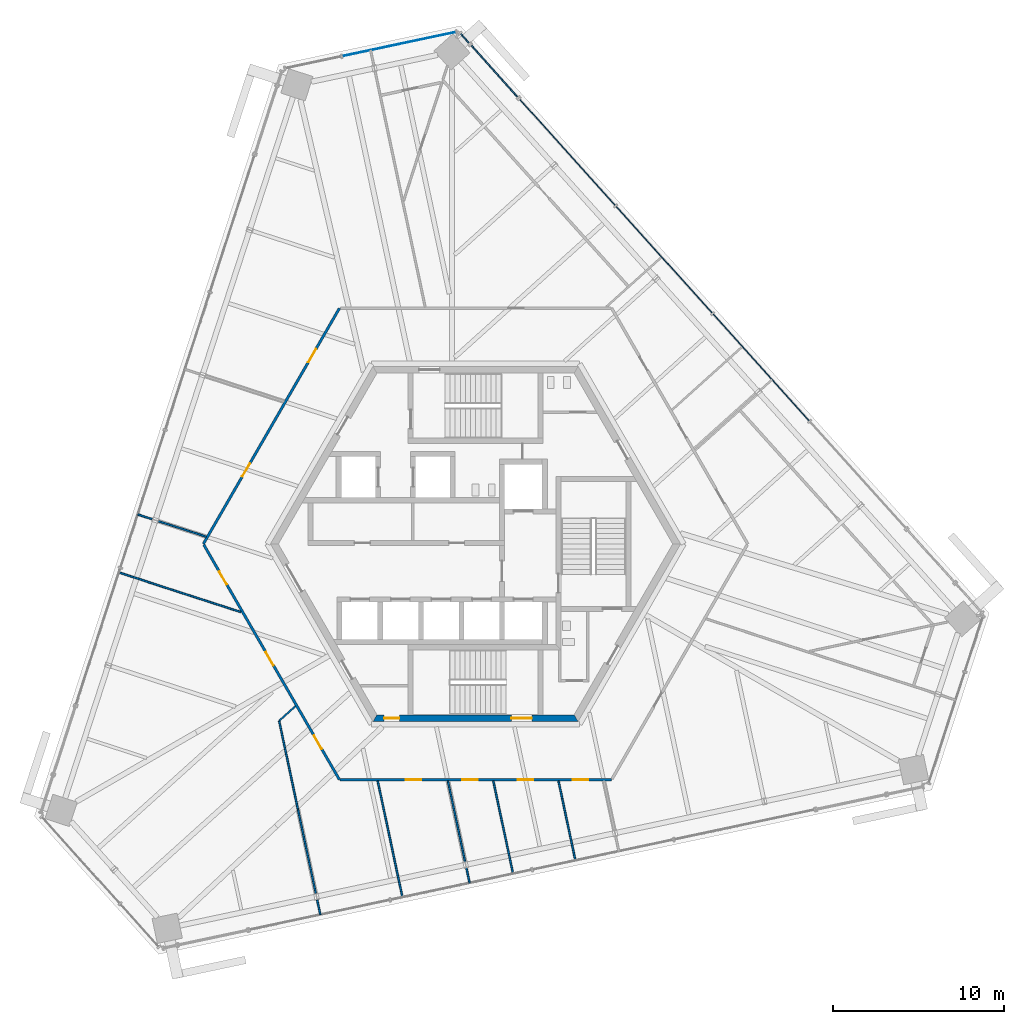
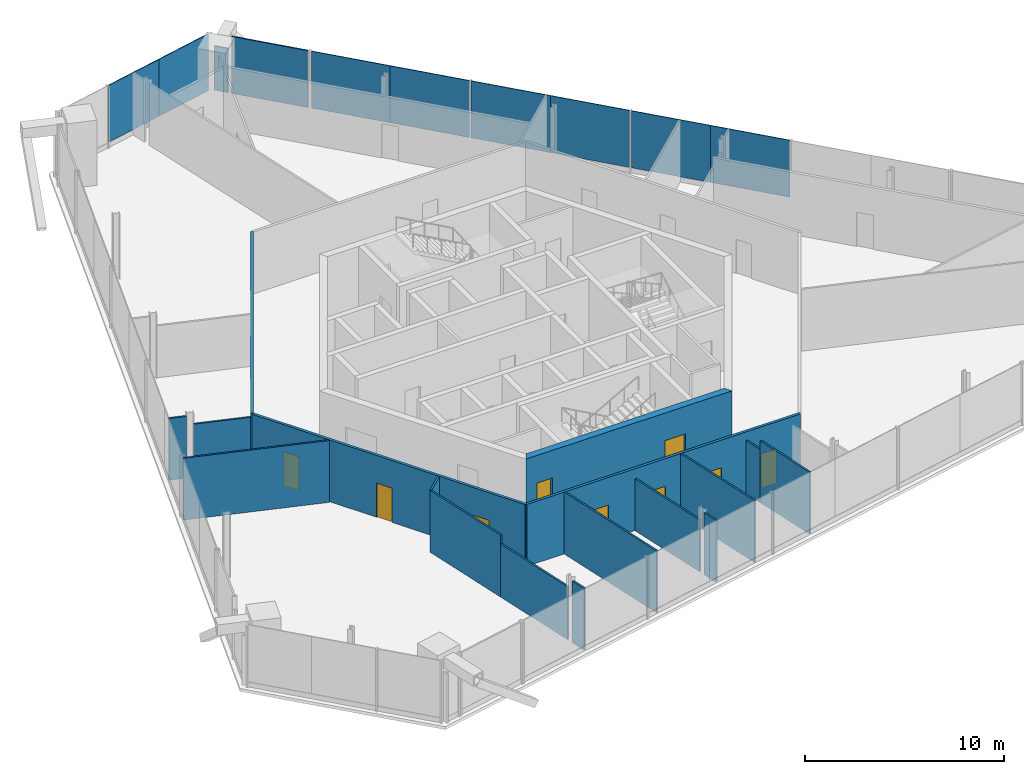
# One storey, part 10 of 16: 17 walls, 11 doors, 10 plates, 11 openings, 4 elements without a shape of their own.
"""IFC4 building model written with IfcOpenShell, lengths in metres."""

from ifc_helpers import new_model, si_unit, direction, frame, frame_2d, origin, origin_2d, place, context, subcontext, project, spatial, polyline, rectangle, outline, extrude, source, transform, mapped, material, layer, layer_set, type_object, element, fill, aggregate, save


model = new_model("IFC4")

# Units and contexts
model_context = context("Model", 3, precision=1e-05, world=origin(), true_north=direction((0.0, 1.0)))
body_context = subcontext(model_context, "Body", "Model", "MODEL_VIEW")
ifc_project = project(units=[si_unit("LENGTHUNIT", "METRE"), si_unit("AREAUNIT", "SQUARE_METRE"), si_unit("VOLUMEUNIT", "CUBIC_METRE"), si_unit("PLANEANGLEUNIT", "RADIAN"), si_unit("MASSUNIT", "GRAM", prefix="KILO")], contexts=[model_context])

# Site, building, storey
site_placement = place(None, origin())
site = spatial("IfcSite", under=ifc_project, at=site_placement, CompositionType="ELEMENT")
building_placement = place(site_placement, origin())
building = spatial("IfcBuilding", under=site, at=building_placement, Name="Triune Harvest Tower", CompositionType="ELEMENT")
storey_placement = place(building_placement, frame((0.0, 0.0, 292.699951171875)))
storey = spatial("IfcBuildingStorey", under=building, at=storey_placement, Name="L77", CompositionType="ELEMENT", Elevation=292.699951171875)

# Curtain wall, plate
ifc_material_1 = material(Name="Aluminium bronze anodised", Category="aluminium")
curtain_wall_type_1 = type_object("IfcCurtainWallType", Name="CW-9 Sky lobby tall glazing wall with insulated spandrel infill", PredefinedType="NOTDEFINED", material=ifc_material_1)
curtain_wall_1_placement = place(storey_placement, origin())
curtain_wall_1 = element("IfcCurtainWall", 1, at=curtain_wall_1_placement, inside=storey, type_object=curtain_wall_type_1, Name="CW-9 B7-F1 L77 run 201")
ifc_material_2 = material(Name="Insulated spandrel panel, bronze aluminium pan", Category="aluminium")
ifc_layer_1 = layer(ifc_material_2, 0.080078125)
ifc_layer_set_1 = layer_set([ifc_layer_1], Name="Insulated spandrel panel, bronze aluminium pan")
plate_type_1 = type_object("IfcPlateType", Name="SP-1 insulated spandrel panel 80", PredefinedType="CURTAIN_PANEL", material=ifc_layer_set_1)
plate_1_placement = place(storey_placement, frame((-0.620849609375, 29.57763671875, 0.2998046875), z_axis=(0.0, 0.0, 1.0), x_axis=(-0.669144523866, 0.743132293862, 0.0)))
plate_1 = element("IfcPlate", 2, at=plate_1_placement, type_object=plate_type_1, Name="CW-9 panel B7-F1 201.1", PredefinedType="CURTAIN_PANEL", context=body_context, shape_type="SweptSolid", body=[
    extrude(rectangle(XDim=0.74169921875, YDim=0.080078125, at=origin_2d()), origin(), (0.0, 0.0, 1.0), 2.715087890625),
])
aggregate(curtain_wall_1, [plate_1])

curtain_wall_2_placement = place(storey_placement, origin())
curtain_wall_2 = element("IfcCurtainWall", 3, at=curtain_wall_2_placement, inside=storey, type_object=curtain_wall_type_1, Name="CW-9 B7-F1 L77 run 2101")
shared_shape_1 = source(origin(), body_context, "Body", "SweptSolid", [
    extrude(rectangle(XDim=4.060791015625, YDim=0.080078125, at=origin_2d()), origin(), (0.0, 0.0, 1.0), 3.5),
])
plate_2_placement = place(storey_placement, frame((1.1064453125, 27.659423828125, 0.300048828125), z_axis=(0.0, 0.0, 1.0), x_axis=(-0.669127566096, 0.743147562931, 0.0)))
plate_2 = element("IfcPlate", 4, at=plate_2_placement, type_object=plate_type_1, Name="CW-9 panel B7-F1 2101.1", PredefinedType="CURTAIN_PANEL", context=body_context, shape_type="MappedRepresentation", body=[
    mapped(shared_shape_1, transform((0.0, 0.0, 0.0), scale=1.0)),
])
aggregate(curtain_wall_2, [plate_2])

# Curtain wall, plates
ifc_material_3 = material(Name="Aluminium bronze anodised", Category="aluminium")
curtain_wall_type_2 = type_object("IfcCurtainWallType", Name="CW-4 Sky lobby tall glazing wall", PredefinedType="NOTDEFINED", material=ifc_material_3)
curtain_wall_3_placement = place(storey_placement, origin())
curtain_wall_3 = element("IfcCurtainWall", 5, at=curtain_wall_3_placement, inside=storey, type_object=curtain_wall_type_2, Name="CW-4 B7-F1 L77 run 1101")
ifc_material_4 = material(Name="Glass", Category="glass")
ifc_layer_2 = layer(ifc_material_4, 0.0439453125)
ifc_layer_set_2 = layer_set([ifc_layer_2], Name="Glass")
plate_type_2 = type_object("IfcPlateType", Name="GL-4 panel 44", PredefinedType="CURTAIN_PANEL", material=ifc_layer_set_2)
shared_shape_2 = source(origin(), body_context, "Body", "SweptSolid", [
    extrude(rectangle(XDim=4.15087890625, YDim=0.0439453125, at=origin_2d()), origin(), (0.0, 0.0, 1.0), 3.5),
])
plate_3_placement = place(storey_placement, frame((3.97412109375, 24.474365234375, 0.300048828125), z_axis=(0.0, 0.0, 1.0), x_axis=(-0.669132449647, 0.743143165769, 0.0)))
plate_3 = element("IfcPlate", 6, at=plate_3_placement, type_object=plate_type_2, Name="CW-4 panel B7-F1 1101.8", PredefinedType="CURTAIN_PANEL", context=body_context, shape_type="MappedRepresentation", body=[
    mapped(shared_shape_2, transform((0.0, 0.0, 0.0), scale=1.0)),
])
shared_shape_3 = source(origin(), body_context, "Body", "SweptSolid", [
    extrude(rectangle(XDim=4.19580078125, YDim=0.0439453125, at=origin_2d()), origin(), (0.0, 0.0, 1.0), 3.5),
])
plate_4_placement = place(storey_placement, frame((18.1171875, 8.76708984375, 0.300048828125), z_axis=(0.0, 0.0, 1.0), x_axis=(-0.669132449647, 0.743143165769, 0.0)))
plate_4 = element("IfcPlate", 7, at=plate_4_placement, type_object=plate_type_2, Name="CW-4 panel B7-F1 1101.3", PredefinedType="CURTAIN_PANEL", context=body_context, shape_type="MappedRepresentation", body=[
    mapped(shared_shape_3, transform((0.0, 0.0, 0.0), scale=1.0)),
])
plate_5_placement = place(storey_placement, frame((15.3095703125, 11.885009765625, 0.300048828125), z_axis=(0.0, 0.0, 1.0), x_axis=(-0.669132449647, 0.743143165769, 0.0)))
plate_5 = element("IfcPlate", 8, at=plate_5_placement, type_object=plate_type_2, Name="CW-4 panel B7-F1 1101.4", PredefinedType="CURTAIN_PANEL", context=body_context, shape_type="MappedRepresentation", body=[
    mapped(shared_shape_3, transform((0.0, 0.0, 0.0), scale=1.0)),
])
plate_6_placement = place(storey_placement, frame((12.44189453125, 15.070068359375, 0.300048828125), z_axis=(0.0, 0.0, 1.0), x_axis=(-0.669132449647, 0.743143165769, 0.0)))
plate_6 = element("IfcPlate", 9, at=plate_6_placement, type_object=plate_type_2, Name="CW-4 panel B7-F1 1101.5", PredefinedType="CURTAIN_PANEL", context=body_context, shape_type="MappedRepresentation", body=[
    mapped(shared_shape_3, transform((0.0, 0.0, 0.0), scale=1.0)),
])
plate_7_placement = place(storey_placement, frame((9.63427734375, 18.188232421875, 0.300048828125), z_axis=(0.0, 0.0, 1.0), x_axis=(-0.669132449647, 0.743143165769, 0.0)))
plate_7 = element("IfcPlate", 10, at=plate_7_placement, type_object=plate_type_2, Name="CW-4 panel B7-F1 1101.6", PredefinedType="CURTAIN_PANEL", context=body_context, shape_type="MappedRepresentation", body=[
    mapped(shared_shape_3, transform((0.0, 0.0, 0.0), scale=1.0)),
])
plate_8_placement = place(storey_placement, frame((6.7666015625, 21.373046875, 0.300048828125), z_axis=(0.0, 0.0, 1.0), x_axis=(-0.669132449647, 0.743143165769, 0.0)))
plate_8 = element("IfcPlate", 11, at=plate_8_placement, type_object=plate_type_2, Name="CW-4 panel B7-F1 1101.7", PredefinedType="CURTAIN_PANEL", context=body_context, shape_type="MappedRepresentation", body=[
    mapped(shared_shape_3, transform((0.0, 0.0, 0.0), scale=1.0)),
])
aggregate(curtain_wall_3, [plate_4, plate_5, plate_6, plate_7, plate_8, plate_3])

curtain_wall_4_placement = place(storey_placement, origin())
curtain_wall_4 = element("IfcCurtainWall", 12, at=curtain_wall_4_placement, inside=storey, type_object=curtain_wall_type_2, Name="CW-4 B7-F2 L77 run 1")
shared_shape_4 = source(origin(), body_context, "Body", "SweptSolid", [
    extrude(rectangle(XDim=3.361328125, YDim=0.0439453125, at=origin_2d()), origin(), (0.0, 0.0, 1.0), 3.5),
])
plate_9_placement = place(storey_placement, frame((-2.809326171875, 29.60009765625, 0.300048828125), z_axis=(0.0, 0.0, 1.0), x_axis=(-0.978149078297, -0.207904739307, 0.0)))
plate_9 = element("IfcPlate", 13, at=plate_9_placement, type_object=plate_type_2, Name="CW-4 panel B7-F2 1.1", PredefinedType="CURTAIN_PANEL", context=body_context, shape_type="MappedRepresentation", body=[
    mapped(shared_shape_4, transform((0.0, 0.0, 0.0), scale=1.0)),
])
shared_shape_5 = source(origin(), body_context, "Body", "SweptSolid", [
    extrude(rectangle(XDim=3.40625, YDim=0.0439453125, at=origin_2d()), origin(), (0.0, 0.0, 1.0), 3.5),
])
plate_10_placement = place(storey_placement, frame((-6.119140625, 28.896728515625, 0.300048828125), z_axis=(0.0, 0.0, 1.0), x_axis=(-0.978149078297, -0.207904739307, 0.0)))
plate_10 = element("IfcPlate", 14, at=plate_10_placement, type_object=plate_type_2, Name="CW-4 panel B7-F2 1.2", PredefinedType="CURTAIN_PANEL", context=body_context, shape_type="MappedRepresentation", body=[
    mapped(shared_shape_5, transform((0.0, 0.0, 0.0), scale=1.0)),
])
aggregate(curtain_wall_4, [plate_9, plate_10])

# Wall, openings, doors
ifc_material_5 = material(Name="Gypsum board on steel studs", Category="steel")
ifc_layer_3 = layer(ifc_material_5, 0.14990234375)
ifc_layer_set_3 = layer_set([ifc_layer_3], Name="Gypsum board on steel studs")
wall_type_1 = type_object("IfcWallType", Name="Fire Partition 150 mm", PredefinedType="PARTITIONING", material=ifc_layer_set_3)
wall_1_placement = place(storey_placement, frame((-15.90087890625, -0.043212890625, 0.0), z_axis=(0.0, 0.0, 1.0), x_axis=(0.49999933383, -0.866025788398, 0.0)))
wall_1 = element("IfcWall", 15, at=wall_1_placement, inside=storey, type_object=wall_type_1, Name="Partition L77 012", PredefinedType="PARTITIONING", context=body_context, shape_type="SweptSolid", body=[
    extrude(rectangle(XDim=15.8759765625, YDim=0.14990234375, at=frame_2d((7.93798828125, 0.0))), origin(), (0.0, 0.0, 1.0), 3.800048828125),
])
opening_1_placement = place(wall_1_placement, frame((1.800048828125, 0.0, 0.0)))
opening_1 = element("IfcOpeningElement", 16, at=opening_1_placement, cuts=wall_1, Name="Opening L77-011", PredefinedType="OPENING", context=body_context, shape_type="SweptSolid", body=[
    extrude(rectangle(XDim=0.89990234375, YDim=2.10009765625, at=frame_2d((0.449951171875, 1.050048828125))), frame((0.0, 0.0849609375, 0.0), z_axis=(0.0, -1.0, 0.0), x_axis=(1.0, 0.0, 0.0)), (0.0, 0.0, 1.0), 0.169921875),
])
opening_2_placement = place(wall_1_placement, frame((7.253662109375, 0.0, 0.0)))
opening_2 = element("IfcOpeningElement", 17, at=opening_2_placement, cuts=wall_1, Name="Opening L77-012", PredefinedType="OPENING", context=body_context, shape_type="SweptSolid", body=[
    extrude(rectangle(XDim=0.89990234375, YDim=2.10009765625, at=frame_2d((0.449951171875, 1.050048828125))), frame((0.0, 0.0849609375, 0.0), z_axis=(0.0, -1.0, 0.0), x_axis=(1.0, 0.0, 0.0)), (0.0, 0.0, 1.0), 0.169921875),
])
opening_3_placement = place(wall_1_placement, frame((12.894775390625, 0.0, 0.0)))
opening_3 = element("IfcOpeningElement", 18, at=opening_3_placement, cuts=wall_1, Name="Opening L77-013", PredefinedType="OPENING", context=body_context, shape_type="SweptSolid", body=[
    extrude(rectangle(XDim=0.89990234375, YDim=2.10009765625, at=frame_2d((0.449951171875, 1.050048828125))), frame((0.0, 0.0849609375, 0.0), z_axis=(0.0, -1.0, 0.0), x_axis=(1.0, 0.0, 0.0)), (0.0, 0.0, 1.0), 0.169921875),
])
ifc_material_6 = material(Name="Timber and steel door set", Category="steel")
door_type_1 = type_object("IfcDoorType", Name="Single leaf door FD30 left hand 900 x 2100", OperationType="SINGLE_SWING_LEFT", PredefinedType="DOOR", material=ifc_material_6)
door_1_placement = place(opening_3_placement, origin())
door_1 = element("IfcDoor", 19, at=door_1_placement, inside=storey, type_object=door_type_1, Name="Door L77-013 Provisions Store 77.13", OperationType="SINGLE_SWING_LEFT", OverallHeight=2.10009765625, OverallWidth=0.89990234375, PredefinedType="DOOR", context=body_context, shape_type="SweptSolid", body=[
    extrude(rectangle(XDim=0.89990234375, YDim=2.10009765625, at=frame_2d((0.449951171875, 1.050048828125))), frame((0.0, 0.02490234375, 0.0), z_axis=(0.0, -1.0, 0.0), x_axis=(1.0, 0.0, 0.0)), (0.0, 0.0, 1.0), 0.050048828125),
])
fill(opening_3, door_1)
ifc_material_7 = material(Name="Timber and steel door set", Category="steel")
door_type_2 = type_object("IfcDoorType", Name="Single leaf door FD30 right hand 900 x 2100", OperationType="SINGLE_SWING_RIGHT", PredefinedType="DOOR", material=ifc_material_7)
door_2_placement = place(opening_1_placement, origin())
door_2 = element("IfcDoor", 20, at=door_2_placement, inside=storey, type_object=door_type_2, Name="Door L77-011 Provisions Store 77.11", OperationType="SINGLE_SWING_RIGHT", OverallHeight=2.10009765625, OverallWidth=0.89990234375, PredefinedType="DOOR", context=body_context, shape_type="SweptSolid", body=[
    extrude(rectangle(XDim=0.89990234375, YDim=2.10009765625, at=frame_2d((0.449951171875, 1.050048828125))), frame((0.0, 0.02490234375, 0.0), z_axis=(0.0, -1.0, 0.0), x_axis=(1.0, 0.0, 0.0)), (0.0, 0.0, 1.0), 0.050048828125),
])
fill(opening_1, door_2)
door_3_placement = place(opening_2_placement, origin())
door_3 = element("IfcDoor", 21, at=door_3_placement, inside=storey, type_object=door_type_2, Name="Door L77-012 Dry Store Room 77.12", OperationType="SINGLE_SWING_RIGHT", OverallHeight=2.10009765625, OverallWidth=0.89990234375, PredefinedType="DOOR", context=body_context, shape_type="SweptSolid", body=[
    extrude(rectangle(XDim=0.89990234375, YDim=2.10009765625, at=frame_2d((0.449951171875, 1.050048828125))), frame((0.0, 0.02490234375, 0.0), z_axis=(0.0, -1.0, 0.0), x_axis=(1.0, 0.0, 0.0)), (0.0, 0.0, 1.0), 0.050048828125),
])
fill(opening_2, door_3)

wall_2_placement = place(storey_placement, frame((-7.923095703125, -13.792236328125, 0.0), z_axis=(0.0, 0.0, 1.0), x_axis=(1.0, 0.0, 0.0)))
wall_2 = element("IfcWall", 22, at=wall_2_placement, inside=storey, type_object=wall_type_1, Name="Partition L77 023", PredefinedType="PARTITIONING", context=body_context, shape_type="SweptSolid", body=[
    extrude(rectangle(XDim=15.885986328125, YDim=0.14990234375, at=frame_2d((7.94287109375, 0.0))), origin(), (0.0, 0.0, 1.0), 3.800048828125),
])
opening_4_placement = place(wall_2_placement, frame((3.83349609375, 0.0, 0.0)))
opening_4 = element("IfcOpeningElement", 23, at=opening_4_placement, cuts=wall_2, Name="Opening L77-014", PredefinedType="OPENING", context=body_context, shape_type="SweptSolid", body=[
    extrude(rectangle(XDim=0.89990234375, YDim=2.10009765625, at=frame_2d((0.449951171875, 1.050048828125))), frame((0.0, 0.0849609375, 0.0), z_axis=(0.0, -1.0, 0.0), x_axis=(1.0, 0.0, 0.0)), (0.0, 0.0, 1.0), 0.169921875),
])
opening_5_placement = place(wall_2_placement, frame((10.39892578125, 0.0, 0.0)))
opening_5 = element("IfcOpeningElement", 24, at=opening_5_placement, cuts=wall_2, Name="Opening L77-015", PredefinedType="OPENING", context=body_context, shape_type="SweptSolid", body=[
    extrude(rectangle(XDim=0.89990234375, YDim=2.10009765625, at=frame_2d((0.449951171875, 1.050048828125))), frame((0.0, 0.0849609375, 0.0), z_axis=(0.0, -1.0, 0.0), x_axis=(1.0, 0.0, 0.0)), (0.0, 0.0, 1.0), 0.169921875),
])
opening_6_placement = place(wall_2_placement, frame((7.140869140625, 0.0, 0.0)))
opening_6 = element("IfcOpeningElement", 25, at=opening_6_placement, cuts=wall_2, Name="Opening L77-016", PredefinedType="OPENING", context=body_context, shape_type="SweptSolid", body=[
    extrude(rectangle(XDim=0.89990234375, YDim=2.10009765625, at=frame_2d((0.449951171875, 1.050048828125))), frame((0.0, 0.0849609375, 0.0), z_axis=(0.0, -1.0, 0.0), x_axis=(1.0, 0.0, 0.0)), (0.0, 0.0, 1.0), 0.169921875),
])
opening_7_placement = place(wall_2_placement, frame((13.6103515625, 0.0, 0.0)))
opening_7 = element("IfcOpeningElement", 26, at=opening_7_placement, cuts=wall_2, Name="Opening L77-017", PredefinedType="OPENING", context=body_context, shape_type="SweptSolid", body=[
    extrude(rectangle(XDim=0.89990234375, YDim=2.10009765625, at=frame_2d((0.449951171875, 1.050048828125))), frame((0.0, 0.0849609375, 0.0), z_axis=(0.0, -1.0, 0.0), x_axis=(1.0, 0.0, 0.0)), (0.0, 0.0, 1.0), 0.169921875),
])
door_4_placement = place(opening_5_placement, origin())
door_4 = element("IfcDoor", 27, at=door_4_placement, inside=storey, type_object=door_type_1, Name="Door L77-015 Exhibition Room 77.15", OperationType="SINGLE_SWING_LEFT", OverallHeight=2.10009765625, OverallWidth=0.89990234375, PredefinedType="DOOR", context=body_context, shape_type="SweptSolid", body=[
    extrude(rectangle(XDim=0.89990234375, YDim=2.10009765625, at=frame_2d((0.449951171875, 1.050048828125))), frame((0.0, 0.02490234375, 0.0), z_axis=(0.0, -1.0, 0.0), x_axis=(1.0, 0.0, 0.0)), (0.0, 0.0, 1.0), 0.050048828125),
])
fill(opening_5, door_4)
door_5_placement = place(opening_7_placement, origin())
door_5 = element("IfcDoor", 28, at=door_5_placement, inside=storey, type_object=door_type_1, Name="Door L77-017 Dry Store Room 77.17", OperationType="SINGLE_SWING_LEFT", OverallHeight=2.10009765625, OverallWidth=0.89990234375, PredefinedType="DOOR", context=body_context, shape_type="SweptSolid", body=[
    extrude(rectangle(XDim=0.89990234375, YDim=2.10009765625, at=frame_2d((0.449951171875, 1.050048828125))), frame((0.0, 0.02490234375, 0.0), z_axis=(0.0, -1.0, 0.0), x_axis=(1.0, 0.0, 0.0)), (0.0, 0.0, 1.0), 0.050048828125),
])
fill(opening_7, door_5)
door_6_placement = place(opening_4_placement, origin())
door_6 = element("IfcDoor", 29, at=door_6_placement, inside=storey, type_object=door_type_2, Name="Door L77-014 Dry Store Room 77.14", OperationType="SINGLE_SWING_RIGHT", OverallHeight=2.10009765625, OverallWidth=0.89990234375, PredefinedType="DOOR", context=body_context, shape_type="SweptSolid", body=[
    extrude(rectangle(XDim=0.89990234375, YDim=2.10009765625, at=frame_2d((0.449951171875, 1.050048828125))), frame((0.0, 0.02490234375, 0.0), z_axis=(0.0, -1.0, 0.0), x_axis=(1.0, 0.0, 0.0)), (0.0, 0.0, 1.0), 0.050048828125),
])
fill(opening_4, door_6)
door_7_placement = place(opening_6_placement, origin())
door_7 = element("IfcDoor", 30, at=door_7_placement, inside=storey, type_object=door_type_2, Name="Door L77-016 Dry Store Room 77.16", OperationType="SINGLE_SWING_RIGHT", OverallHeight=2.10009765625, OverallWidth=0.89990234375, PredefinedType="DOOR", context=body_context, shape_type="SweptSolid", body=[
    extrude(rectangle(XDim=0.89990234375, YDim=2.10009765625, at=frame_2d((0.449951171875, 1.050048828125))), frame((0.0, 0.02490234375, 0.0), z_axis=(0.0, -1.0, 0.0), x_axis=(1.0, 0.0, 0.0)), (0.0, 0.0, 1.0), 0.050048828125),
])
fill(opening_6, door_7)

# Walls
ifc_material_8 = material(Name="Gypsum board on steel studs", Category="steel")
ifc_layer_4 = layer(ifc_material_8, 0.10009765625)
ifc_layer_set_4 = layer_set([ifc_layer_4], Name="Gypsum board on steel studs")
wall_type_2 = type_object("IfcWallType", Name="Partition 100 mm", PredefinedType="PARTITIONING", material=ifc_layer_set_4)
wall_3_placement = place(storey_placement, frame((-11.491943359375, -10.347412109375, 0.0), z_axis=(0.0, 0.0, 1.0), x_axis=(0.207936987677, -0.978142223379, 0.0)))
element("IfcWall", 31, at=wall_3_placement, inside=storey, type_object=wall_type_2, Name="Partition L77 001", PredefinedType="PARTITIONING", context=body_context, shape_type="SweptSolid", body=[
    extrude(rectangle(XDim=5.2998046875, YDim=0.10009765625, at=frame_2d((2.64990234375, 0.0))), origin(), (0.0, 0.0, 1.0), 3.800048828125),
])
wall_4_placement = place(storey_placement, frame((-10.389892578125, -15.531494140625, 0.0), z_axis=(0.0, 0.0, 1.0), x_axis=(0.207918403574, -0.978146173869, 0.0)))
element("IfcWall", 32, at=wall_4_placement, inside=storey, type_object=wall_type_2, Name="Partition L77 001a", PredefinedType="PARTITIONING", context=body_context, shape_type="SweptSolid", body=[
    extrude(rectangle(XDim=5.0419921875, YDim=0.10009765625, at=frame_2d((2.52099609375, 0.0))), origin(), (0.0, 0.0, 1.0), 3.26416015625),
])
wall_5_placement = place(storey_placement, frame((-5.724853515625, -13.86083984375, 0.0), z_axis=(0.0, 0.0, 1.0), x_axis=(0.207909921644, -0.978147976782, 0.0)))
element("IfcWall", 33, at=wall_5_placement, inside=storey, type_object=wall_type_2, Name="Partition L77 003", PredefinedType="PARTITIONING", context=body_context, shape_type="SweptSolid", body=[
    extrude(rectangle(XDim=6.962158203125, YDim=0.10009765625, at=frame_2d((3.48095703125, 0.0))), origin(), (0.0, 0.0, 1.0), 3.800048828125),
])
wall_6_placement = place(storey_placement, frame((1.04052734375, -13.86083984375, 0.0), z_axis=(0.0, 0.0, 1.0), x_axis=(0.207908161047, -0.978148351003, 0.0)))
element("IfcWall", 34, at=wall_6_placement, inside=storey, type_object=wall_type_2, Name="Partition L77 006", PredefinedType="PARTITIONING", context=body_context, shape_type="SweptSolid", body=[
    extrude(rectangle(XDim=5.555419921875, YDim=0.10009765625, at=frame_2d((2.77783203125, 0.0))), origin(), (0.0, 0.0, 1.0), 3.800048828125),
])
wall_7_placement = place(storey_placement, frame((4.851806640625, -13.86083984375, 0.0), z_axis=(0.0, 0.0, 1.0), x_axis=(0.208013551428, -0.978125944049, 0.0)))
element("IfcWall", 35, at=wall_7_placement, inside=storey, type_object=wall_type_2, Name="Partition L77 009", PredefinedType="PARTITIONING", context=body_context, shape_type="SweptSolid", body=[
    extrude(rectangle(XDim=1.056396484375, YDim=0.10009765625, at=frame_2d((0.5283203125, 0.0))), origin(), (0.0, 0.0, 1.0), 3.26416015625),
])
wall_8_placement = place(storey_placement, frame((5.071533203125, -14.89404296875, 0.0), z_axis=(0.0, 0.0, 1.0), x_axis=(0.207918618804, -0.978146128119, 0.0)))
element("IfcWall", 36, at=wall_8_placement, inside=storey, type_object=wall_type_2, Name="Partition L77 009a", PredefinedType="PARTITIONING", context=body_context, shape_type="SweptSolid", body=[
    extrude(rectangle(XDim=3.70703125, YDim=0.10009765625, at=frame_2d((1.853515625, 0.0))), origin(), (0.0, 0.0, 1.0), 3.800048828125),
])
wall_9_placement = place(storey_placement, frame((-20.86669921875, -1.668701171875, 0.0), z_axis=(0.0, 0.0, 1.0), x_axis=(0.951054635451, -0.309022782958, 0.0)))
element("IfcWall", 37, at=wall_9_placement, inside=storey, type_object=wall_type_2, Name="Partition L77 016", PredefinedType="PARTITIONING", context=body_context, shape_type="SweptSolid", body=[
    extrude(rectangle(XDim=7.50146484375, YDim=0.10009765625, at=frame_2d((3.750732421875, 0.0))), origin(), (0.0, 0.0, 1.0), 3.800048828125),
])
wall_10_placement = place(storey_placement, frame((-19.76318359375, 1.727783203125, 0.0), z_axis=(0.0, 0.0, 1.0), x_axis=(0.95108307013, -0.308935258124, 0.0)))
element("IfcWall", 38, at=wall_10_placement, inside=storey, type_object=wall_type_2, Name="Partition L77 017", PredefinedType="PARTITIONING", context=body_context, shape_type="SweptSolid", body=[
    extrude(rectangle(XDim=0.9150390625, YDim=0.10009765625, at=frame_2d((0.45751953125, 0.0))), origin(), (0.0, 0.0, 1.0), 3.800048828125),
])
wall_11_placement = place(storey_placement, frame((-11.47705078125, -10.333984375, 0.0), z_axis=(0.0, 0.0, 1.0), x_axis=(0.743227417655, 0.669038867066, 0.0)))
element("IfcWall", 39, at=wall_11_placement, inside=storey, type_object=wall_type_2, Name="Partition L77 031", PredefinedType="PARTITIONING", context=body_context, shape_type="SweptSolid", body=[
    extrude(rectangle(XDim=1.2734375, YDim=0.10009765625, at=frame_2d((0.63671875, 0.0))), origin(), (0.0, 0.0, 1.0), 3.800048828125),
])

# Wall, openings, doors
ifc_material_9 = material(Name="Concrete 70 MPa", Category="concrete")
ifc_layer_5 = layer(ifc_material_9, 0.39990234375)
ifc_layer_set_5 = layer_set([ifc_layer_5], Name="Concrete 70 MPa")
wall_type_3 = type_object("IfcWallType", Name="Core wall 400", PredefinedType="SHEAR", material=ifc_layer_set_5)
shared_shape_6 = source(origin(), body_context, "Body", "SweptSolid", [
    extrude(outline(polyline([(-0.115478515625, -0.199951171875), (11.884521484375, -0.199951171875), (11.653564453125, 0.199951171875), (0.115478515625, 0.199951171875), (-0.115478515625, -0.199951171875)])), origin(), (0.0, 0.0, 1.0), 3.800048828125),
])
wall_12_placement = place(storey_placement, frame((-5.884521484375, -10.1923828125, 0.0), z_axis=(0.0, 0.0, 1.0), x_axis=(1.0, 0.0, 0.0)))
wall_12 = element("IfcWall", 40, at=wall_12_placement, inside=storey, type_object=wall_type_3, Name="Hexagon 4 wall", PredefinedType="SHEAR", context=body_context, shape_type="MappedRepresentation", body=[
    mapped(shared_shape_6, transform((0.0, 0.0, 0.0), scale=1.0)),
])
opening_8_placement = place(wall_12_placement, frame((7.984619140625, 0.0, 0.0)))
opening_8 = element("IfcOpeningElement", 41, at=opening_8_placement, cuts=wall_12, Name="Opening CD-S2P", PredefinedType="OPENING", context=body_context, shape_type="SweptSolid", body=[
    extrude(rectangle(XDim=1.199951171875, YDim=2.10009765625, at=frame_2d((0.60009765625, 1.050048828125))), frame((0.0, 0.2099609375, 0.0), z_axis=(0.0, -1.0, 0.0), x_axis=(1.0, 0.0, 0.0)), (0.0, 0.0, 1.0), 0.419921875),
])
opening_9_placement = place(wall_12_placement, frame((0.534423828125, 0.0, 0.0)))
opening_9 = element("IfcOpeningElement", 42, at=opening_9_placement, cuts=wall_12, Name="Opening CD-SWS", PredefinedType="OPENING", context=body_context, shape_type="SweptSolid", body=[
    extrude(rectangle(XDim=0.89990234375, YDim=2.10009765625, at=frame_2d((0.449951171875, 1.050048828125))), frame((0.0, 0.2099609375, 0.0), z_axis=(0.0, -1.0, 0.0), x_axis=(1.0, 0.0, 0.0)), (0.0, 0.0, 1.0), 0.419921875),
])
ifc_material_10 = material(Name="Steel S235", Category="steel")
door_type_3 = type_object("IfcDoorType", Name="Riser door 900 FD120", OperationType="SINGLE_SWING_LEFT", PredefinedType="DOOR", material=ifc_material_10)
door_8_placement = place(opening_9_placement, frame((0.89990234375, 0.0, 0.0), z_axis=(0.0, 0.0, 1.0), x_axis=(-1.0, 0.0, 0.0)))
door_8 = element("IfcDoor", 43, at=door_8_placement, inside=storey, type_object=door_type_3, Name="Door CD-SWS", OperationType="SINGLE_SWING_RIGHT", OverallHeight=2.10009765625, OverallWidth=0.89990234375, PredefinedType="DOOR", context=body_context, shape_type="SweptSolid", body=[
    extrude(rectangle(XDim=0.89990234375, YDim=2.10009765625, at=frame_2d((0.449951171875, 1.050048828125))), frame((0.0, 0.02490234375, 0.0), z_axis=(0.0, -1.0, 0.0), x_axis=(1.0, 0.0, 0.0)), (0.0, 0.0, 1.0), 0.050048828125),
])
fill(opening_9, door_8)
ifc_material_11 = material(Name="Steel S235", Category="steel")
door_type_4 = type_object("IfcDoorType", Name="Stair door 1200 FD120", OperationType="SINGLE_SWING_LEFT", PredefinedType="DOOR", material=ifc_material_11)
door_9_placement = place(opening_8_placement, frame((1.199951171875, 0.0, 0.0), z_axis=(0.0, 0.0, 1.0), x_axis=(-1.0, 0.0, 0.0)))
door_9 = element("IfcDoor", 44, at=door_9_placement, inside=storey, type_object=door_type_4, Name="Door CD-S2P", OperationType="SINGLE_SWING_RIGHT", OverallHeight=2.10009765625, OverallWidth=1.199951171875, PredefinedType="DOOR", context=body_context, shape_type="SweptSolid", body=[
    extrude(rectangle(XDim=1.199951171875, YDim=2.10009765625, at=frame_2d((0.60009765625, 1.050048828125))), frame((0.0, 0.02490234375, 0.0), z_axis=(0.0, -1.0, 0.0), x_axis=(1.0, 0.0, 0.0)), (0.0, 0.0, 1.0), 0.050048828125),
])
fill(opening_8, door_9)

# Walls
shared_shape_7 = source(origin(), body_context, "Body", "SweptSolid", [
    extrude(rectangle(XDim=0.915283203125, YDim=0.10009765625, at=frame_2d((0.45751953125, 0.0))), origin(), (0.0, 0.0, 1.0), 3.800048828125),
])
wall_13_placement = place(storey_placement, frame((-9.270751953125, -20.796630859375, 0.0), z_axis=(0.0, 0.0, 1.0), x_axis=(0.207798139517, -0.978171729919, 0.0)))
element("IfcWall", 45, at=wall_13_placement, inside=storey, type_object=wall_type_2, Name="Partition L77 002", PredefinedType="PARTITIONING", context=body_context, shape_type="MappedRepresentation", body=[
    mapped(shared_shape_7, transform((0.0, 0.0, 0.0), scale=1.0)),
])
shared_shape_8 = source(origin(), body_context, "Body", "SweptSolid", [
    extrude(rectangle(XDim=4.852294921875, YDim=0.10009765625, at=frame_2d((2.42626953125, 0.0))), origin(), (0.0, 0.0, 1.0), 3.187744140625),
])
wall_14_placement = place(storey_placement, frame((-1.617431640625, -13.86083984375, 0.0), z_axis=(0.0, 0.0, 1.0), x_axis=(0.207896665906, -0.978150794257, 0.0)))
element("IfcWall", 46, at=wall_14_placement, inside=storey, type_object=wall_type_2, Name="Partition L77 004", PredefinedType="PARTITIONING", context=body_context, shape_type="MappedRepresentation", body=[
    mapped(shared_shape_8, transform((0.0, 0.0, 0.0), scale=1.0)),
])
shared_shape_9 = source(origin(), body_context, "Body", "SweptSolid", [
    extrude(rectangle(XDim=0.91552734375, YDim=0.10009765625, at=frame_2d((0.457763671875, 0.0))), origin(), (0.0, 0.0, 1.0), 3.800048828125),
])
wall_15_placement = place(storey_placement, frame((-0.537841796875, -18.940185546875, 0.0), z_axis=(0.0, 0.0, 1.0), x_axis=(0.207743933161, -0.978183243689, 0.0)))
element("IfcWall", 47, at=wall_15_placement, inside=storey, type_object=wall_type_2, Name="Partition L77 005", PredefinedType="PARTITIONING", context=body_context, shape_type="MappedRepresentation", body=[
    mapped(shared_shape_9, transform((0.0, 0.0, 0.0), scale=1.0)),
])
shared_shape_10 = source(origin(), body_context, "Body", "SweptSolid", [
    extrude(rectangle(XDim=2.95458984375, YDim=0.10009765625, at=frame_2d((1.477294921875, 0.0))), origin(), (0.0, 0.0, 1.0), 3.26416015625),
])
wall_16_placement = place(storey_placement, frame((-18.56884765625, 1.339599609375, 0.0), z_axis=(0.0, 0.0, 1.0), x_axis=(0.951052283617, -0.309030020915, 0.0)))
element("IfcWall", 48, at=wall_16_placement, inside=storey, type_object=wall_type_2, Name="Partition L77 018", PredefinedType="PARTITIONING", context=body_context, shape_type="MappedRepresentation", body=[
    mapped(shared_shape_10, transform((0.0, 0.0, 0.0), scale=1.0)),
])

# Wall, openings, doors
shared_shape_11 = source(origin(), body_context, "Body", "SweptSolid", [
    extrude(rectangle(XDim=15.92626953125, YDim=0.14990234375, at=frame_2d((7.963134765625, 0.0))), origin(), (0.0, 0.0, 1.0), 3.800048828125),
])
wall_17_placement = place(storey_placement, frame((-15.92626953125, -0.000244140625, 0.0), z_axis=(0.0, 0.0, 1.0), x_axis=(0.500013496215, 0.866017611601, 0.0)))
wall_17 = element("IfcWall", 49, at=wall_17_placement, inside=storey, type_object=wall_type_1, Name="Partition L77 034", PredefinedType="PARTITIONING", context=body_context, shape_type="MappedRepresentation", body=[
    mapped(shared_shape_11, transform((0.0, 0.0, 0.0), scale=1.0)),
])
opening_10_placement = place(wall_17_placement, frame((12.2763671875, 0.0, 0.0)))
opening_10 = element("IfcOpeningElement", 50, at=opening_10_placement, cuts=wall_17, Name="Opening L77-009", PredefinedType="OPENING", context=body_context, shape_type="SweptSolid", body=[
    extrude(rectangle(XDim=0.89990234375, YDim=2.10009765625, at=frame_2d((0.449951171875, 1.050048828125))), frame((0.0, 0.0849609375, 0.0), z_axis=(0.0, -1.0, 0.0), x_axis=(1.0, 0.0, 0.0)), (0.0, 0.0, 1.0), 0.169921875),
])
opening_11_placement = place(wall_17_placement, frame((4.54541015625, 0.0, 0.0)))
opening_11 = element("IfcOpeningElement", 51, at=opening_11_placement, cuts=wall_17, Name="Opening L77-010", PredefinedType="OPENING", context=body_context, shape_type="SweptSolid", body=[
    extrude(rectangle(XDim=0.89990234375, YDim=2.10009765625, at=frame_2d((0.449951171875, 1.050048828125))), frame((0.0, 0.0849609375, 0.0), z_axis=(0.0, -1.0, 0.0), x_axis=(1.0, 0.0, 0.0)), (0.0, 0.0, 1.0), 0.169921875),
])
door_10_placement = place(opening_11_placement, origin())
door_10 = element("IfcDoor", 52, at=door_10_placement, inside=storey, type_object=door_type_1, Name="Door L77-010 Dry Store Room 77.10", OperationType="SINGLE_SWING_LEFT", OverallHeight=2.10009765625, OverallWidth=0.89990234375, PredefinedType="DOOR", context=body_context, shape_type="SweptSolid", body=[
    extrude(rectangle(XDim=0.89990234375, YDim=2.10009765625, at=frame_2d((0.449951171875, 1.050048828125))), frame((0.0, 0.02490234375, 0.0), z_axis=(0.0, -1.0, 0.0), x_axis=(1.0, 0.0, 0.0)), (0.0, 0.0, 1.0), 0.050048828125),
])
fill(opening_11, door_10)
door_11_placement = place(opening_10_placement, origin())
door_11 = element("IfcDoor", 53, at=door_11_placement, inside=storey, type_object=door_type_2, Name="Door L77-009 Furniture Store Room 77.09", OperationType="SINGLE_SWING_RIGHT", OverallHeight=2.10009765625, OverallWidth=0.89990234375, PredefinedType="DOOR", context=body_context, shape_type="SweptSolid", body=[
    extrude(rectangle(XDim=0.89990234375, YDim=2.10009765625, at=frame_2d((0.449951171875, 1.050048828125))), frame((0.0, 0.02490234375, 0.0), z_axis=(0.0, -1.0, 0.0), x_axis=(1.0, 0.0, 0.0)), (0.0, 0.0, 1.0), 0.050048828125),
])
fill(opening_10, door_11)

save(model, "model.ifc")
